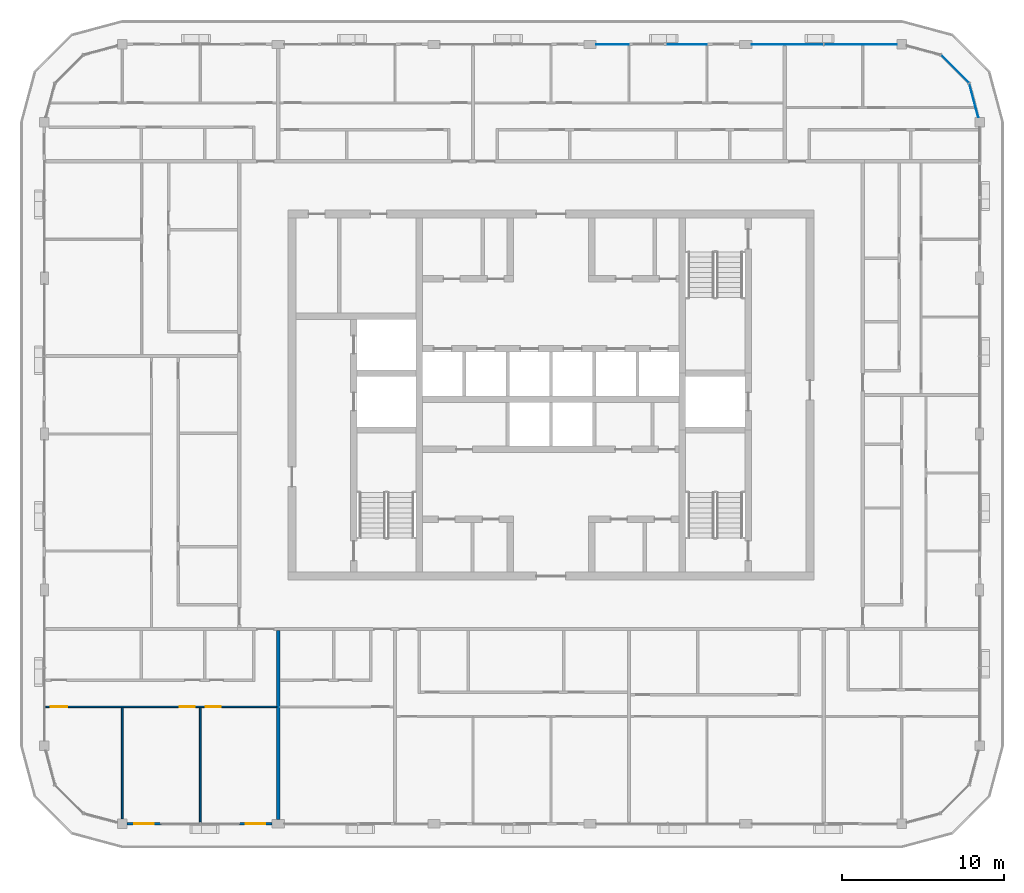
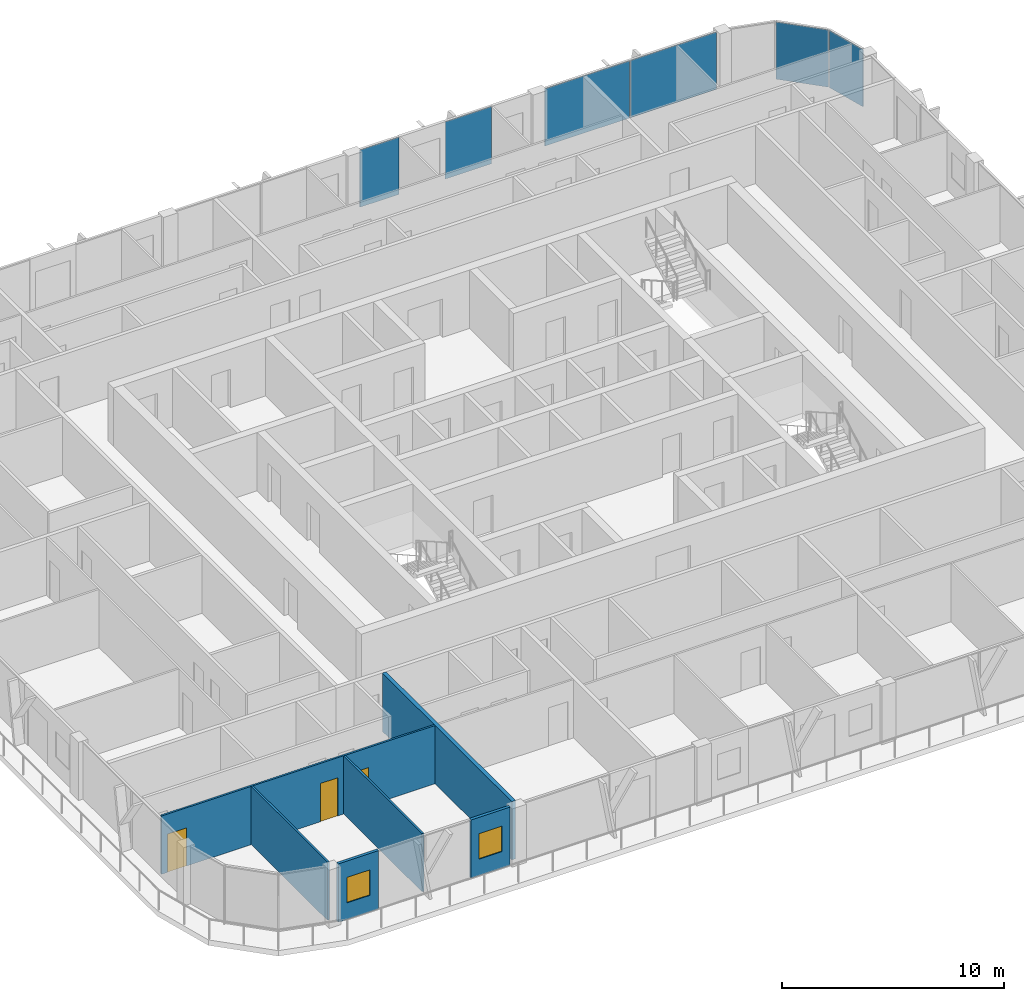
# One storey, part 8 of 22: 6 plates, 6 walls, 3 doors, 2 windows, 5 openings, 3 elements without a shape of their own.
"""IFC4 building model written with IfcOpenShell, lengths in metres."""

from ifc_helpers import new_model, si_unit, direction, frame, frame_2d, origin, origin_2d, place, context, subcontext, project, spatial, rectangle, extrude, material, layer, layer_set, type_object, element, fill, aggregate, save


model = new_model("IFC4")

# Units and contexts
model_context = context("Model", 3, precision=1e-05, world=origin(), true_north=direction((0.0, 1.0)))
body_context = subcontext(model_context, "Body", "Model", "MODEL_VIEW")
ifc_project = project(units=[si_unit("LENGTHUNIT", "METRE"), si_unit("AREAUNIT", "SQUARE_METRE"), si_unit("VOLUMEUNIT", "CUBIC_METRE"), si_unit("PLANEANGLEUNIT", "RADIAN"), si_unit("MASSUNIT", "GRAM", prefix="KILO")], contexts=[model_context])

# Site, building, storey
site_placement = place(None, origin())
site = spatial("IfcSite", under=ifc_project, at=site_placement, CompositionType="ELEMENT")
building_placement = place(site_placement, origin())
building = spatial("IfcBuilding", under=site, at=building_placement, Name="Madar Terraces", CompositionType="ELEMENT")
storey_placement = place(building_placement, frame((0.0, 0.0, 282.60009765625)))
storey = spatial("IfcBuildingStorey", under=building, at=storey_placement, Name="L74", CompositionType="ELEMENT", Elevation=282.60009765625)

# Curtain wall, plates
ifc_material_1 = material(Name="Glass, ceramic frit dark grey, with black aluminium frame", Category="aluminium")
ifc_layer_1 = layer(ifc_material_1, 0.199951171875)
ifc_layer_set_1 = layer_set([ifc_layer_1], Name="Facade curtain wall, fritted glass")
curtain_wall_type = type_object("IfcCurtainWallType", Name="Facade curtain wall, fritted glass", PredefinedType="NOTDEFINED", material=ifc_layer_set_1)
curtain_wall_1_placement = place(storey_placement, origin())
curtain_wall_1 = element("IfcCurtainWall", 1, at=curtain_wall_1_placement, inside=storey, type_object=curtain_wall_type, Name="Outer skin curtain wall north bay 1", PredefinedType="NOTDEFINED")
ifc_material_2 = material(Name="Glass, ceramic frit dark grey", Category="glass")
ifc_layer_2 = layer(ifc_material_2, 0.028076171875)
ifc_layer_set_2 = layer_set([ifc_layer_2], Name="Facade glass panel 28")
plate_type = type_object("IfcPlateType", Name="Facade glass panel 28", PredefinedType="CURTAIN_PANEL", material=ifc_layer_set_2)
plate_1_placement = place(storey_placement, frame((50.264892578125, 48.0, 0.0), z_axis=(0.0, 0.0, 1.0), x_axis=(-1.0, 0.0, 0.0)))
plate_1 = element("IfcPlate", 2, at=plate_1_placement, type_object=plate_type, Name="Panel 1", PredefinedType="CURTAIN_PANEL", context=body_context, shape_type="SweptSolid", body=[
    extrude(rectangle(XDim=4.469970703125, YDim=0.028076171875, at=origin_2d()), origin(), (0.0, 0.0, 1.0), 3.139892578125),
])
plate_2_placement = place(storey_placement, frame((45.7724609375, 48.0, 0.0), z_axis=(0.0, 0.0, 1.0), x_axis=(-1.0, 0.0, 0.0)))
plate_2 = element("IfcPlate", 3, at=plate_2_placement, type_object=plate_type, Name="Panel 2", PredefinedType="CURTAIN_PANEL", context=body_context, shape_type="SweptSolid", body=[
    extrude(rectangle(XDim=4.39501953125, YDim=0.028076171875, at=origin_2d()), origin(), (0.0, 0.0, 1.0), 3.139892578125),
])
aggregate(curtain_wall_1, [plate_1, plate_2])

curtain_wall_2_placement = place(storey_placement, origin())
curtain_wall_2 = element("IfcCurtainWall", 4, at=curtain_wall_2_placement, inside=storey, type_object=curtain_wall_type, Name="Outer skin curtain wall north bay 2", PredefinedType="NOTDEFINED")
plate_3_placement = place(storey_placement, frame((39.60009765625, 48.0, 0.0), z_axis=(0.0, 0.0, 1.0), x_axis=(-1.0, 0.0, 0.0)))
plate_3 = element("IfcPlate", 5, at=plate_3_placement, type_object=plate_type, Name="Panel 1", PredefinedType="CURTAIN_PANEL", context=body_context, shape_type="SweptSolid", body=[
    extrude(rectangle(XDim=2.39990234375, YDim=0.028076171875, at=origin_2d()), origin(), (0.0, 0.0, 1.0), 3.139892578125),
])
plate_4_placement = place(storey_placement, frame((34.987548828125, 48.0, 0.0), z_axis=(0.0, 0.0, 1.0), x_axis=(-1.0, 0.0, 0.0)))
plate_4 = element("IfcPlate", 6, at=plate_4_placement, type_object=plate_type, Name="Panel 2", PredefinedType="CURTAIN_PANEL", context=body_context, shape_type="SweptSolid", body=[
    extrude(rectangle(XDim=2.02490234375, YDim=0.028076171875, at=origin_2d()), origin(), (0.0, 0.0, 1.0), 3.139892578125),
])
aggregate(curtain_wall_2, [plate_3, plate_4])

curtain_wall_3_placement = place(storey_placement, origin())
curtain_wall_3 = element("IfcCurtainWall", 7, at=curtain_wall_3_placement, inside=storey, type_object=curtain_wall_type, Name="Outer skin curtain wall north-east corner", PredefinedType="NOTDEFINED")
plate_5_placement = place(storey_placement, frame((57.2421875, 44.535400390625, 0.0), z_axis=(0.0, 0.0, 1.0), x_axis=(-0.258819021888, 0.965925832509, 0.0)))
plate_5 = element("IfcPlate", 8, at=plate_5_placement, type_object=plate_type, Name="Panel 1", PredefinedType="CURTAIN_PANEL", context=body_context, shape_type="SweptSolid", body=[
    extrude(rectangle(XDim=2.14404296875, YDim=0.028076171875, at=origin_2d()), origin(), (0.0, 0.0, 1.0), 3.139892578125),
])
plate_6_placement = place(storey_placement, frame((56.078369140625, 46.478515625, 0.0), z_axis=(0.0, 0.0, 1.0), x_axis=(-0.707106781187, 0.707106781187, 0.0)))
plate_6 = element("IfcPlate", 9, at=plate_6_placement, type_object=plate_type, Name="Panel 2", PredefinedType="CURTAIN_PANEL", context=body_context, shape_type="SweptSolid", body=[
    extrude(rectangle(XDim=2.424560546875, YDim=0.028076171875, at=origin_2d()), origin(), (0.0, 0.0, 1.0), 3.139892578125),
])
aggregate(curtain_wall_3, [plate_5, plate_6])

# Wall, opening, window
ifc_material_3 = material(Name="Aluminium composite panel, black, over insulated backing", Category="aluminium")
ifc_layer_3 = layer(ifc_material_3, 0.14990234375)
ifc_layer_set_3 = layer_set([ifc_layer_3], Name="Facade bay panel 150")
wall_type_1 = type_object("IfcWallType", Name="Facade bay panel 150", PredefinedType="SOLIDWALL", material=ifc_layer_set_3)
wall_1_placement = place(storey_placement, frame((5.10009765625, 0.0, 0.0), z_axis=(0.0, 0.0, 1.0), x_axis=(1.0, 0.0, 0.0)))
wall_1 = element("IfcWall", 10, at=wall_1_placement, inside=storey, type_object=wall_type_1, Name="Facade bay panel", PredefinedType="SOLIDWALL", context=body_context, shape_type="SweptSolid", body=[
    extrude(rectangle(XDim=2.099853515625, YDim=0.14990234375, at=frame_2d((1.0498046875, 0.0))), origin(), (0.0, 0.0, 1.0), 3.199951171875),
])
opening_1_placement = place(wall_1_placement, frame((0.449951171875, 0.0, 0.89990234375)))
opening_1 = element("IfcOpeningElement", 11, at=opening_1_placement, cuts=wall_1, Name="Opening W1", PredefinedType="OPENING", context=body_context, shape_type="SweptSolid", body=[
    extrude(rectangle(XDim=1.199951171875, YDim=1.39990234375, at=frame_2d((0.60009765625, 0.699951171875))), frame((0.0, 0.0849609375, 0.0), z_axis=(0.0, -1.0, 0.0), x_axis=(1.0, 0.0, 0.0)), (0.0, 0.0, 1.0), 0.169921875),
])
ifc_material_4 = material(Name="Glass, clear, with black aluminium frame", Category="aluminium")
window_type = type_object("IfcWindowType", Name="Vent window 1200 x 1400", PartitioningType="SINGLE_PANEL", PredefinedType="WINDOW", material=ifc_material_4)
window_1_placement = place(opening_1_placement, origin())
window_1 = element("IfcWindow", 12, at=window_1_placement, inside=storey, type_object=window_type, Name="Operable vent window", OverallHeight=1.39990234375, OverallWidth=1.199951171875, PartitioningType="SINGLE_PANEL", PredefinedType="WINDOW", context=body_context, shape_type="SweptSolid", body=[
    extrude(rectangle(XDim=1.199951171875, YDim=1.39990234375, at=frame_2d((0.60009765625, 0.699951171875))), frame((0.0, 0.030029296875, 0.0), z_axis=(0.0, -1.0, 0.0), x_axis=(1.0, 0.0, 0.0)), (0.0, 0.0, 1.0), 0.06005859375),
])
fill(opening_1, window_1)

wall_2_placement = place(storey_placement, frame((12.0, 0.0, 0.0), z_axis=(0.0, 0.0, 1.0), x_axis=(1.0, 0.0, 0.0)))
wall_2 = element("IfcWall", 13, at=wall_2_placement, inside=storey, type_object=wall_type_1, Name="Facade bay panel", PredefinedType="SOLIDWALL", context=body_context, shape_type="SweptSolid", body=[
    extrude(rectangle(XDim=2.02490234375, YDim=0.14990234375, at=frame_2d((1.012451171875, 0.0))), origin(), (0.0, 0.0, 1.0), 3.199951171875),
])
opening_2_placement = place(wall_2_placement, frame((0.41259765625, 0.0, 0.89990234375)))
opening_2 = element("IfcOpeningElement", 14, at=opening_2_placement, cuts=wall_2, Name="Opening W1", PredefinedType="OPENING", context=body_context, shape_type="SweptSolid", body=[
    extrude(rectangle(XDim=1.199951171875, YDim=1.39990234375, at=frame_2d((0.60009765625, 0.699951171875))), frame((0.0, 0.0849609375, 0.0), z_axis=(0.0, -1.0, 0.0), x_axis=(1.0, 0.0, 0.0)), (0.0, 0.0, 1.0), 0.169921875),
])
window_2_placement = place(opening_2_placement, origin())
window_2 = element("IfcWindow", 15, at=window_2_placement, inside=storey, type_object=window_type, Name="Operable vent window", OverallHeight=1.39990234375, OverallWidth=1.199951171875, PartitioningType="SINGLE_PANEL", PredefinedType="WINDOW", context=body_context, shape_type="SweptSolid", body=[
    extrude(rectangle(XDim=1.199951171875, YDim=1.39990234375, at=frame_2d((0.60009765625, 0.699951171875))), frame((0.0, 0.030029296875, 0.0), z_axis=(0.0, -1.0, 0.0), x_axis=(1.0, 0.0, 0.0)), (0.0, 0.0, 1.0), 0.06005859375),
])
fill(opening_2, window_2)

# Walls
ifc_material_5 = material(Name="Gypsum board on steel studs", Category="steel")
ifc_layer_4 = layer(ifc_material_5, 0.10009765625)
ifc_layer_set_4 = layer_set([ifc_layer_4], Name="Flat partition 100")
wall_type_2 = type_object("IfcWallType", Name="Flat partition 100", PredefinedType="PARTITIONING", material=ifc_layer_set_4)
wall_3_placement = place(storey_placement, frame((9.60009765625, 7.14990234375, 0.0), z_axis=(0.0, 0.0, 1.0), x_axis=(0.0, -1.0, 0.0)))
element("IfcWall", 16, at=wall_3_placement, inside=storey, type_object=wall_type_2, Name="Flat partition 100", PredefinedType="PARTITIONING", context=body_context, shape_type="SweptSolid", body=[
    extrude(rectangle(XDim=7.0498046875, YDim=0.10009765625, at=frame_2d((3.52490234375, 0.0))), origin(), (0.0, 0.0, 1.0), 3.199951171875),
])
wall_4_placement = place(storey_placement, frame((4.800048828125, 7.14990234375, 0.0), z_axis=(0.0, 0.0, 1.0), x_axis=(0.0, -1.0, 0.0)))
element("IfcWall", 17, at=wall_4_placement, inside=storey, type_object=wall_type_2, Name="Flat partition 100", PredefinedType="PARTITIONING", context=body_context, shape_type="SweptSolid", body=[
    extrude(rectangle(XDim=6.849853515625, YDim=0.10009765625, at=frame_2d((3.4248046875, 0.0))), origin(), (0.0, 0.0, 1.0), 3.199951171875),
])

# Wall, openings, doors
wall_5_placement = place(storey_placement, frame((14.300048828125, 7.199951171875, 0.0), z_axis=(0.0, 0.0, 1.0), x_axis=(-1.0, 0.0, 0.0)))
wall_5 = element("IfcWall", 18, at=wall_5_placement, inside=storey, type_object=wall_type_2, Name="Flat partition 100", PredefinedType="PARTITIONING", context=body_context, shape_type="SweptSolid", body=[
    extrude(rectangle(XDim=14.199951171875, YDim=0.10009765625, at=frame_2d((7.10009765625, 0.0))), origin(), (0.0, 0.0, 1.0), 3.199951171875),
])
opening_3_placement = place(wall_5_placement, frame((3.449951171875, 0.0, 0.0)))
opening_3 = element("IfcOpeningElement", 19, at=opening_3_placement, cuts=wall_5, Name="Opening D2", PredefinedType="OPENING", context=body_context, shape_type="SweptSolid", body=[
    extrude(rectangle(XDim=0.89990234375, YDim=2.10009765625, at=frame_2d((0.449951171875, 1.050048828125))), frame((0.0, 0.06005859375, 0.0), z_axis=(0.0, -1.0, 0.0), x_axis=(1.0, 0.0, 0.0)), (0.0, 0.0, 1.0), 0.1201171875),
])
opening_4_placement = place(wall_5_placement, frame((5.050048828125, 0.0, 0.0)))
opening_4 = element("IfcOpeningElement", 20, at=opening_4_placement, cuts=wall_5, Name="Opening D2", PredefinedType="OPENING", context=body_context, shape_type="SweptSolid", body=[
    extrude(rectangle(XDim=0.89990234375, YDim=2.10009765625, at=frame_2d((0.449951171875, 1.050048828125))), frame((0.0, 0.06005859375, 0.0), z_axis=(0.0, -1.0, 0.0), x_axis=(1.0, 0.0, 0.0)), (0.0, 0.0, 1.0), 0.1201171875),
])
opening_5_placement = place(wall_5_placement, frame((12.89990234375, 0.0, 0.0)))
opening_5 = element("IfcOpeningElement", 21, at=opening_5_placement, cuts=wall_5, Name="Opening D3", PredefinedType="OPENING", context=body_context, shape_type="SweptSolid", body=[
    extrude(rectangle(XDim=1.0, YDim=2.10009765625, at=frame_2d((0.5, 1.050048828125))), frame((0.0, 0.06005859375, 0.0), z_axis=(0.0, -1.0, 0.0), x_axis=(1.0, 0.0, 0.0)), (0.0, 0.0, 1.0), 0.1201171875),
])
ifc_material_6 = material(Name="Timber door leaf", Category="wood")
door_type_1 = type_object("IfcDoorType", Name="Flat living room door 1000", OperationType="NOTDEFINED", PredefinedType="DOOR", material=ifc_material_6)
door_1_placement = place(opening_5_placement, origin())
door_1 = element("IfcDoor", 22, at=door_1_placement, inside=storey, type_object=door_type_1, Name="Flat living room door 1000", OperationType="SINGLE_SWING_RIGHT", OverallHeight=2.10009765625, OverallWidth=1.0, PredefinedType="DOOR", context=body_context, shape_type="SweptSolid", body=[
    extrude(rectangle(XDim=1.0, YDim=2.10009765625, at=frame_2d((0.5, 1.050048828125))), frame((0.0, 0.02490234375, 0.0), z_axis=(0.0, -1.0, 0.0), x_axis=(1.0, 0.0, 0.0)), (0.0, 0.0, 1.0), 0.050048828125),
])
fill(opening_5, door_1)
ifc_material_7 = material(Name="Timber door leaf", Category="wood")
door_type_2 = type_object("IfcDoorType", Name="Flat room door 900", OperationType="NOTDEFINED", PredefinedType="DOOR", material=ifc_material_7)
door_2_placement = place(opening_3_placement, origin())
door_2 = element("IfcDoor", 23, at=door_2_placement, inside=storey, type_object=door_type_2, Name="Flat room door 900", OperationType="SINGLE_SWING_RIGHT", OverallHeight=2.10009765625, OverallWidth=0.89990234375, PredefinedType="DOOR", context=body_context, shape_type="SweptSolid", body=[
    extrude(rectangle(XDim=0.89990234375, YDim=2.10009765625, at=frame_2d((0.449951171875, 1.050048828125))), frame((0.0, 0.02490234375, 0.0), z_axis=(0.0, -1.0, 0.0), x_axis=(1.0, 0.0, 0.0)), (0.0, 0.0, 1.0), 0.050048828125),
])
fill(opening_3, door_2)
door_3_placement = place(opening_4_placement, origin())
door_3 = element("IfcDoor", 24, at=door_3_placement, inside=storey, type_object=door_type_2, Name="Flat room door 900", OperationType="SINGLE_SWING_LEFT", OverallHeight=2.10009765625, OverallWidth=0.89990234375, PredefinedType="DOOR", context=body_context, shape_type="SweptSolid", body=[
    extrude(rectangle(XDim=0.89990234375, YDim=2.10009765625, at=frame_2d((0.449951171875, 1.050048828125))), frame((0.0, 0.02490234375, 0.0), z_axis=(0.0, -1.0, 0.0), x_axis=(1.0, 0.0, 0.0)), (0.0, 0.0, 1.0), 0.050048828125),
])
fill(opening_4, door_3)

# Wall
ifc_material_8 = material(Name="Lightweight blockwork", Category="masonry")
ifc_layer_5 = layer(ifc_material_8, 0.199951171875)
ifc_layer_set_5 = layer_set([ifc_layer_5], Name="Flat party and entrance wall 200")
wall_type_3 = type_object("IfcWallType", Name="Flat party and entrance wall 200", PredefinedType="PARTITIONING", material=ifc_layer_set_5)
wall_6_placement = place(storey_placement, frame((14.39990234375, 11.89990234375, 0.0), z_axis=(0.0, 0.0, 1.0), x_axis=(0.0, -1.0, 0.0)))
element("IfcWall", 25, at=wall_6_placement, inside=storey, type_object=wall_type_3, Name="Flat party and entrance wall 200", PredefinedType="PARTITIONING", context=body_context, shape_type="SweptSolid", body=[
    extrude(rectangle(XDim=11.64990234375, YDim=0.199951171875, at=frame_2d((5.824951171875, 0.0))), origin(), (0.0, 0.0, 1.0), 3.199951171875),
])

save(model, "model.ifc")
